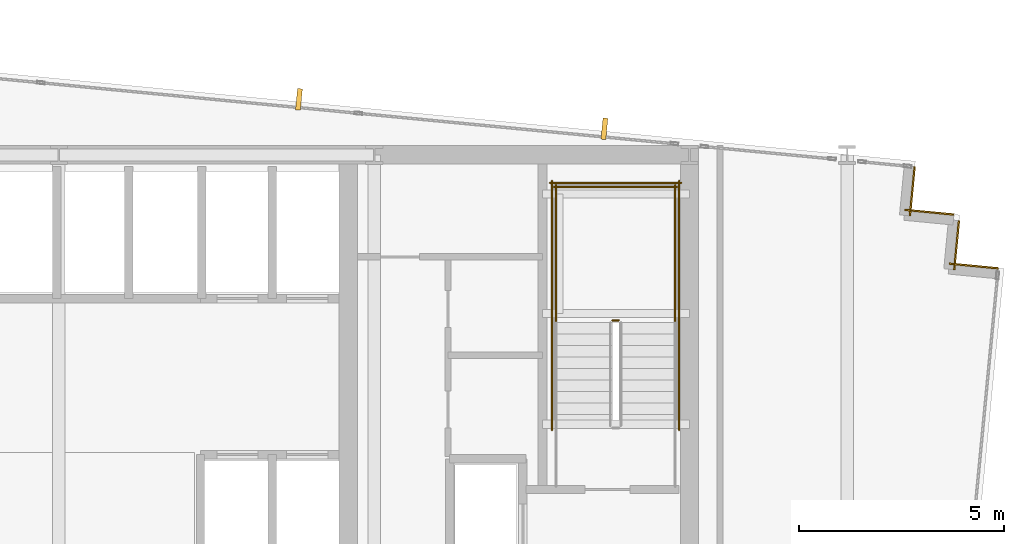
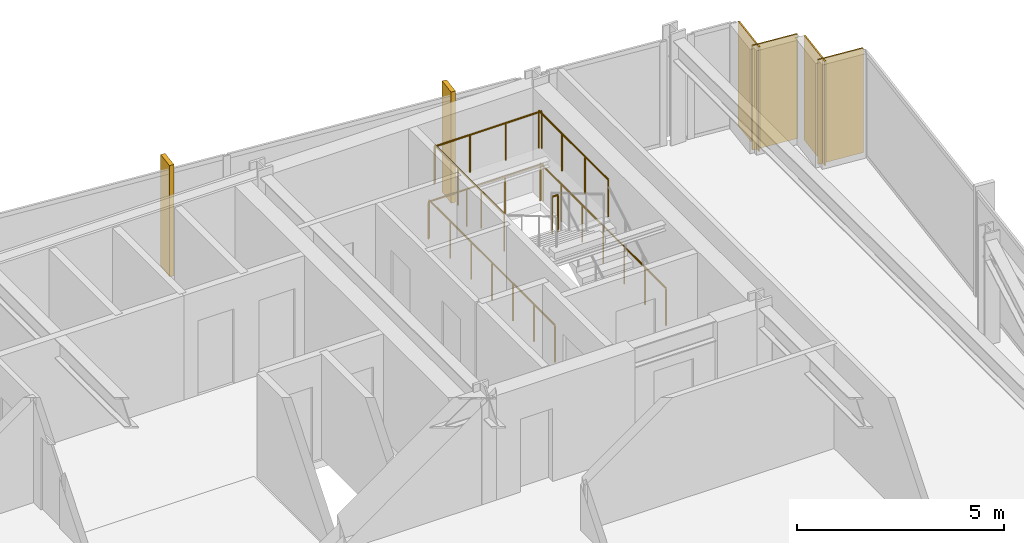
# One storey, part 37 of 37: 7 railings, 4 coverings, 2 shading devices.
"""IFC4 building model written with IfcOpenShell, lengths in metres."""

from ifc_helpers import new_model, si_unit, direction, frame, frame_2d, origin, origin_2d, place, context, subcontext, project, spatial, rectangle, circle, extrude, material, layer, layer_set, type_object, element, save


model = new_model("IFC4")

# Units and contexts
model_context = context("Model", 3, precision=1e-05, world=origin(), true_north=direction((0.0, 1.0)))
body_context = subcontext(model_context, "Body", "Model", "MODEL_VIEW")
ifc_project = project(units=[si_unit("LENGTHUNIT", "METRE"), si_unit("AREAUNIT", "SQUARE_METRE"), si_unit("VOLUMEUNIT", "CUBIC_METRE"), si_unit("PLANEANGLEUNIT", "RADIAN"), si_unit("MASSUNIT", "GRAM", prefix="KILO")], contexts=[model_context])

# Site, building, storey
site_placement = place(None, origin())
site = spatial("IfcSite", under=ifc_project, at=site_placement, CompositionType="ELEMENT")
building_placement = place(site_placement, origin())
building = spatial("IfcBuilding", under=site, at=building_placement, Name="Yelkora Congress Tower", CompositionType="ELEMENT")
storey_placement = place(building_placement, frame((0.0, 0.0, 165.5)))
storey = spatial("IfcBuildingStorey", under=building, at=storey_placement, Name="L45", CompositionType="ELEMENT", Elevation=165.5)

# Coverings
ifc_material_1 = material(Name="Anatolian bush-hammered limestone", Category="masonry")
ifc_layer_1 = layer(ifc_material_1, 0.0400390625)
ifc_layer_set_1 = layer_set([ifc_layer_1], Name="Anatolian bush-hammered limestone")
covering_type = type_object("IfcCoveringType", Name="COV-CLAD-SPANDREL-40", PredefinedType="CLADDING", material=ifc_layer_set_1)
covering_1_placement = place(storey_placement, frame((59.2431640625, 45.909912109375, 0.0), z_axis=(0.0, 0.0, 1.0), x_axis=(-0.095836473879, -0.995397091755, 0.0)))
element("IfcCovering", 1, at=covering_1_placement, inside=storey, type_object=covering_type, Name="L45 Anatolian Limestone Cladding EW-L45-SR11", PredefinedType="CLADDING", context=body_context, shape_type="SweptSolid", body=[
    extrude(rectangle(XDim=1.199951171875, YDim=0.0400390625, at=frame_2d((0.60009765625, 0.0))), origin(), (0.0, 0.0, 1.0), 3.080078125),
])
for number, where, z_axis, x_axis, name in (
    (2, (59.006591796875, 44.86279296875, 0.0), (0.0, 0.0, 1.0), (0.995398960025, -0.095817067274, 0.0), "L45 Anatolian Limestone Cladding EW-L45-SR12"),
    (3, (60.322509765625, 44.6005859375, 0.0), (0.0, 0.0, 1.0), (-0.095817067274, -0.995398960025, 0.0), "L45 Anatolian Limestone Cladding EW-L45-SR13"),
):
    element("IfcCovering", number, at=place(storey_placement, frame(where, z_axis=z_axis, x_axis=x_axis)), inside=storey, type_object=covering_type, Name=name, PredefinedType="CLADDING", context=body_context, shape_type="SweptSolid", body=[
        extrude(rectangle(XDim=1.2001953125, YDim=0.0400390625, at=frame_2d((0.60009765625, 0.0))), origin(), (0.0, 0.0, 1.0), 3.080078125),
    ])
covering_2_placement = place(storey_placement, frame((60.086181640625, 43.55322265625, 0.0), z_axis=(0.0, 0.0, 1.0), x_axis=(0.995397091755, -0.095836473879, 0.0)))
element("IfcCovering", 4, at=covering_2_placement, inside=storey, type_object=covering_type, Name="L45 Anatolian Limestone Cladding EW-L45-SR14", PredefinedType="CLADDING", context=body_context, shape_type="SweptSolid", body=[
    extrude(rectangle(XDim=1.199951171875, YDim=0.0400390625, at=frame_2d((0.60009765625, 0.0))), origin(), (0.0, 0.0, 1.0), 3.080078125),
])

# Railings
ifc_material_2 = material(Name="Painted galvanised steel stair well guard with vertical infill", Category="steel")
ifc_layer_2 = layer(ifc_material_2, 0.06005859375)
ifc_layer_set_2 = layer_set([ifc_layer_2], Name="Painted galvanised steel stair well guard with vertical infill")
railing_type = type_object("IfcRailingType", Name="RAIL-STAIR-GUARD-1120", PredefinedType="GUARDRAIL", material=ifc_layer_set_2)
railing_1_placement = place(storey_placement, frame((52.0400390625, 42.169921875, 1.64990234375)))
element("IfcRailing", 5, at=railing_1_placement, inside=storey, type_object=railing_type, Name="ST-02 L45 Stair Well Guardrail 2", PredefinedType="GUARDRAIL", context=body_context, shape_type="SweptSolid", body=[
    extrude(circle(Radius=0.02392578125, at=origin_2d()), frame((0.0, 0.0, 1.09619140625), z_axis=(-1.0, 0.0, 0.0), x_axis=(0.0, -1.0, 0.0)), (0.0, 0.0, 1.0), 0.16015625),
    extrude(circle(Radius=0.02099609375, at=origin_2d()), origin(), (0.0, 0.0, 1.0), 1.072021484375),
    extrude(circle(Radius=0.02099609375, at=origin_2d()), frame((-0.16015625, 0.0, 0.0)), (0.0, 0.0, 1.0), 1.072021484375),
])
for number, where, name in (
    (6, (53.409912109375, 42.1201171875, 1.64990234375), "ST-02 L45 Stair Well Guardrail 3"),
    (7, (50.510009765625, 42.1201171875, 1.64990234375), "ST-02 L45 Stair Well Guardrail 4"),
):
    element("IfcRailing", number, at=place(storey_placement, frame(where)), inside=storey, type_object=railing_type, Name=name, PredefinedType="GUARDRAIL", context=body_context, shape_type="SweptSolid", body=[
        extrude(circle(Radius=0.02392578125, at=origin_2d()), frame((0.0, 0.0, 1.09619140625), z_axis=(0.0, 1.0, 0.0), x_axis=(-1.0, 0.0, 0.0)), (0.0, 0.0, 1.0), 3.349853515625),
        extrude(circle(Radius=0.02099609375, at=origin_2d()), origin(), (0.0, 0.0, 1.0), 1.072021484375),
        extrude(circle(Radius=0.02099609375, at=origin_2d()), frame((0.0, 1.11669921875, 0.0)), (0.0, 0.0, 1.0), 1.072021484375),
        extrude(circle(Radius=0.02099609375, at=origin_2d()), frame((0.0, 2.233154296875, 0.0)), (0.0, 0.0, 1.0), 1.072021484375),
        extrude(circle(Radius=0.02099609375, at=origin_2d()), frame((0.0, 3.349853515625, 0.0)), (0.0, 0.0, 1.0), 1.072021484375),
    ])
railing_2_placement = place(storey_placement, frame((53.4599609375, 45.419921875, 1.64990234375)))
element("IfcRailing", 8, at=railing_2_placement, inside=storey, type_object=railing_type, Name="ST-02 L45 Stair Well Guardrail 5", PredefinedType="GUARDRAIL", context=body_context, shape_type="SweptSolid", body=[
    extrude(circle(Radius=0.02392578125, at=origin_2d()), frame((0.0, 0.0, 1.09619140625), z_axis=(-1.0, 0.0, 0.0), x_axis=(0.0, -1.0, 0.0)), (0.0, 0.0, 1.0), 3.0),
    extrude(circle(Radius=0.02099609375, at=origin_2d()), origin(), (0.0, 0.0, 1.0), 1.072021484375),
    extrude(circle(Radius=0.02099609375, at=origin_2d()), frame((-1.0, 0.0, 0.0)), (0.0, 0.0, 1.0), 1.072021484375),
    extrude(circle(Radius=0.02099609375, at=origin_2d()), frame((-2.0, 0.0, 0.0)), (0.0, 0.0, 1.0), 1.072021484375),
    extrude(circle(Radius=0.02099609375, at=origin_2d()), frame((-3.0, 0.0, 0.0)), (0.0, 0.0, 1.0), 1.072021484375),
])
for number, where, name in (
    (9, (53.510009765625, 39.5, 0.0), "ST-02 L45 Stair Well Guardrail 10"),
    (10, (50.409912109375, 39.5, 0.0), "ST-02 L45 Stair Well Guardrail 11"),
):
    element("IfcRailing", number, at=place(storey_placement, frame(where)), inside=storey, type_object=railing_type, Name=name, PredefinedType="GUARDRAIL", context=body_context, shape_type="SweptSolid", body=[
        extrude(circle(Radius=0.02392578125, at=origin_2d()), frame((0.0, 0.0, 1.09619140625), z_axis=(0.0, 1.0, 0.0), x_axis=(-1.0, 0.0, 0.0)), (0.0, 0.0, 1.0), 6.070068359375),
        extrude(circle(Radius=0.02099609375, at=origin_2d()), origin(), (0.0, 0.0, 1.0), 1.072021484375),
        extrude(circle(Radius=0.02099609375, at=origin_2d()), frame((0.0, 1.01171875, 0.0)), (0.0, 0.0, 1.0), 1.072021484375),
        extrude(circle(Radius=0.02099609375, at=origin_2d()), frame((0.0, 2.0234375, 0.0)), (0.0, 0.0, 1.0), 1.072021484375),
        extrude(circle(Radius=0.02099609375, at=origin_2d()), frame((0.0, 3.03515625, 0.0)), (0.0, 0.0, 1.0), 1.072021484375),
        extrude(circle(Radius=0.02099609375, at=origin_2d()), frame((0.0, 4.046630859375, 0.0)), (0.0, 0.0, 1.0), 1.072021484375),
        extrude(circle(Radius=0.02099609375, at=origin_2d()), frame((0.0, 5.058349609375, 0.0)), (0.0, 0.0, 1.0), 1.072021484375),
        extrude(circle(Radius=0.02099609375, at=origin_2d()), frame((0.0, 6.070068359375, 0.0)), (0.0, 0.0, 1.0), 1.072021484375),
    ])
railing_3_placement = place(storey_placement, frame((53.56005859375, 45.52001953125, 0.0)))
element("IfcRailing", 11, at=railing_3_placement, inside=storey, type_object=railing_type, Name="ST-02 L45 Stair Well Guardrail 12", PredefinedType="GUARDRAIL", context=body_context, shape_type="SweptSolid", body=[
    extrude(circle(Radius=0.02392578125, at=origin_2d()), frame((0.0, 0.0, 1.09619140625), z_axis=(-1.0, 0.0, 0.0), x_axis=(0.0, -1.0, 0.0)), (0.0, 0.0, 1.0), 3.199951171875),
    extrude(circle(Radius=0.02099609375, at=origin_2d()), origin(), (0.0, 0.0, 1.0), 1.072021484375),
    extrude(circle(Radius=0.02099609375, at=origin_2d()), frame((-1.066650390625, 0.0, 0.0)), (0.0, 0.0, 1.0), 1.072021484375),
    extrude(circle(Radius=0.02099609375, at=origin_2d()), frame((-2.13330078125, 0.0, 0.0)), (0.0, 0.0, 1.0), 1.072021484375),
    extrude(circle(Radius=0.02099609375, at=origin_2d()), frame((-3.199951171875, 0.0, 0.0)), (0.0, 0.0, 1.0), 1.072021484375),
])

# Shading devices
ifc_material_3 = material(Name="Champagne anodised aluminium", Category="aluminium")
ifc_layer_3 = layer(ifc_material_3, 3.300048828125)
ifc_layer_set_3 = layer_set([ifc_layer_3], Name="Champagne anodised aluminium")
shading_device_type = type_object("IfcShadingDeviceType", Name="SHD-FIN-ALU-520", PredefinedType="USERDEFINED", material=ifc_layer_set_3)
for number, where, z_axis, x_axis, name in (
    (12, (44.248291015625, 47.5546875, -0.02978515625), (0.0, 0.0, 1.0), (0.995396198367, -0.09584575252, 0.0), "L45 Vertical Anodised Solar Fin 10-5"),
    (13, (51.68798828125, 46.83837890625, -0.02978515625), (0.0, 0.0, 1.0), (0.995396198367, -0.09584575252, 0.0), "L45 Vertical Anodised Solar Fin 10-6"),
):
    element("IfcShadingDevice", number, at=place(storey_placement, frame(where, z_axis=z_axis, x_axis=x_axis)), inside=storey, type_object=shading_device_type, Name=name, ObjectType="FIN", PredefinedType="USERDEFINED", context=body_context, shape_type="SweptSolid", body=[
        extrude(rectangle(XDim=0.1201171875, YDim=0.52001953125, at=origin_2d()), origin(), (0.0, 0.0, 1.0), 3.280029296875),
    ])

save(model, "model.ifc")
